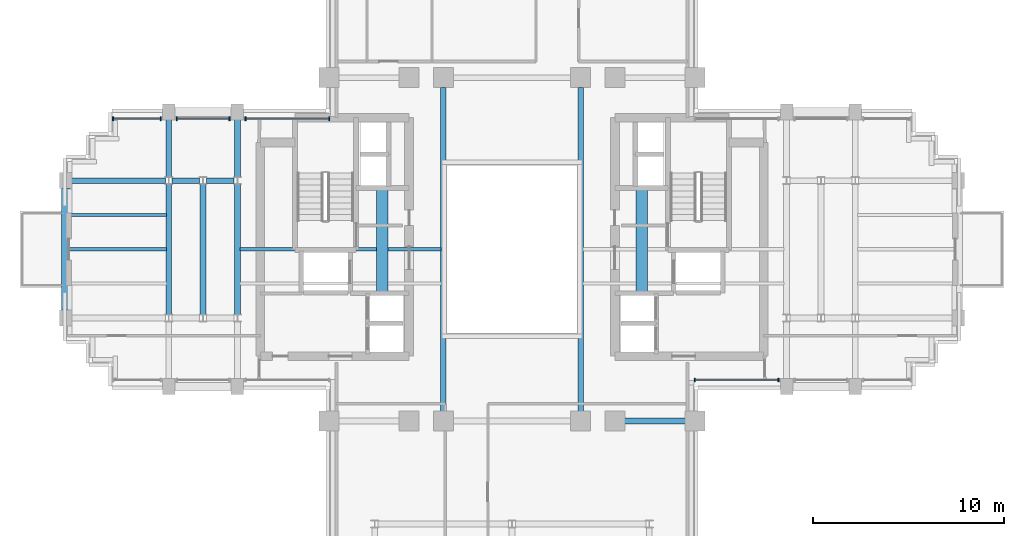
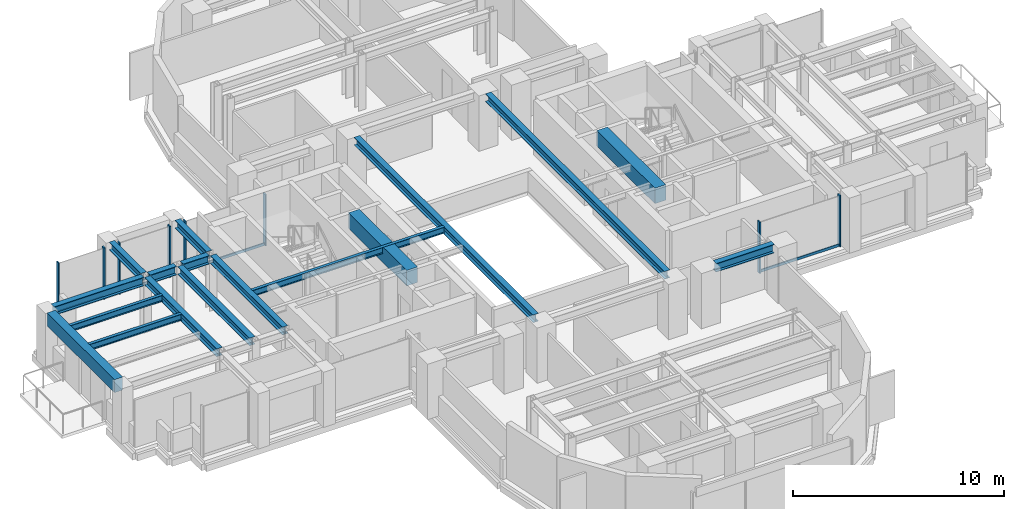
# One storey, part 4 of 13: 17 beams, 12 members, 4 elements without a shape of their own.
"""IFC4 building model written with IfcOpenShell, lengths in metres."""

from ifc_helpers import new_model, si_unit, direction, frame, origin, origin_2d, place, context, subcontext, project, spatial, rectangle, i_section, extrude, source, transform, mapped, material, material_profile, profile_set, type_object, element, aggregate, save


model = new_model("IFC4")

# Units and contexts
model_context = context("Model", 3, precision=1e-05, world=origin(), true_north=direction((0.0, 1.0)))
body_context = subcontext(model_context, "Body", "Model", "MODEL_VIEW")
ifc_project = project(units=[si_unit("LENGTHUNIT", "METRE"), si_unit("AREAUNIT", "SQUARE_METRE"), si_unit("VOLUMEUNIT", "CUBIC_METRE"), si_unit("PLANEANGLEUNIT", "RADIAN"), si_unit("MASSUNIT", "GRAM", prefix="KILO")], contexts=[model_context])

# Site, building, storey
site_placement = place(None, origin())
site = spatial("IfcSite", under=ifc_project, at=site_placement, CompositionType="ELEMENT")
building_placement = place(site_placement, origin())
building = spatial("IfcBuilding", under=site, at=building_placement, Name="Keilestroom Media Tower", CompositionType="ELEMENT")
storey_placement = place(building_placement, frame((0.0, 0.0, 100.60009765625)))
storey = spatial("IfcBuildingStorey", under=building, at=storey_placement, Name="L26", CompositionType="ELEMENT", Elevation=100.60009765625)

# Beams
ifc_material_1 = material(Name="Concrete C70/85", Category="concrete")
ifc_material_profile_1 = material_profile(ifc_material_1, rectangle(XDim=0.60009765625, YDim=0.89990234375, at=origin_2d()), Name="RC 600x900")
ifc_profile_set_1 = profile_set([ifc_material_profile_1], Name="Concrete C70/85")
beam_type_1 = type_object("IfcBeamType", Name="Core-Coupling-Lintel-Beam-RC-600x900", PredefinedType="LINTEL", material=ifc_profile_set_1)
shared_shape_1 = source(origin(), body_context, "Body", "SweptSolid", [
    extrude(rectangle(XDim=0.60009765625, YDim=0.89990234375, at=origin_2d()), origin(), (0.0, 0.0, 1.0), 5.52001953125),
])
for number, where, z_axis, x_axis, name in (
    (1, (-6.800048828125, -2.300048828125, 2.75), (0.0, 1.0, 0.0), (-1.0, 0.0, 0.0), "L26 Beam CLB-1 CLB-L26-W"),
    (2, (6.800048828125, -2.300048828125, 2.75), (0.0, 1.0, 0.0), (-1.0, 0.0, 0.0), "L26 Beam CLB-1 CLB-L26-E"),
):
    element("IfcBeam", number, at=place(storey_placement, frame(where, z_axis=z_axis, x_axis=x_axis)), inside=storey, type_object=beam_type_1, Name=name, PredefinedType="LINTEL", context=body_context, shape_type="MappedRepresentation", body=[
        mapped(shared_shape_1, transform((0.0, 0.0, 0.0), x_axis=(1.0, 0.0, 0.0), y_axis=(0.0, 1.0, 0.0), z_axis=(0.0, 0.0, 1.0), scale=1.0)),
    ])
ifc_material_2 = material(Name="Steel S355", Category="steel")
ifc_material_profile_2 = material_profile(ifc_material_2, i_section(OverallWidth=0.169921875, OverallDepth=0.360107421875, WebThickness=0.008056640625, FlangeThickness=0.0126953125, at=origin_2d()), Name="IPE 360")
ifc_profile_set_2 = profile_set([ifc_material_profile_2], Name="Steel S355")
beam_type_2 = type_object("IfcBeamType", Name="Secondary-Floor-Joist-IPE-360", PredefinedType="JOIST", material=ifc_profile_set_2)
shared_shape_2 = source(origin(), body_context, "Body", "SweptSolid", [
    extrude(i_section(OverallWidth=0.169921875, OverallDepth=0.360107421875, WebThickness=0.008056640625, FlangeThickness=0.0126953125, at=origin_2d()), origin(), (0.0, 0.0, 1.0), 10.5400390625),
])
beam_1_placement = place(storey_placement, frame((-14.27001953125, 0.0, 3.02001953125), z_axis=(1.0, 0.0, 0.0), x_axis=(0.0, 1.0, 0.0)))
element("IfcBeam", 3, at=beam_1_placement, inside=storey, type_object=beam_type_2, Name="L26 Beam BJ-5 JST-L26-077", PredefinedType="JOIST", context=body_context, shape_type="MappedRepresentation", body=[
    mapped(shared_shape_2, transform((0.0, 0.0, 0.0), x_axis=(1.0, 0.0, 0.0), y_axis=(0.0, 1.0, 0.0), z_axis=(0.0, 0.0, 1.0), scale=1.0)),
])
ifc_material_profile_3 = material_profile(ifc_material_2, i_section(OverallWidth=0.300048828125, OverallDepth=0.5, WebThickness=0.012451171875, FlangeThickness=0.028076171875, at=origin_2d()), Name="HEB 500")
ifc_profile_set_3 = profile_set([ifc_material_profile_3], Name="Steel S355")
beam_type_3 = type_object("IfcBeamType", Name="Primary-Structural-Girder-HEB-500", PredefinedType="BEAM", material=ifc_profile_set_3)
shared_shape_3 = source(origin(), body_context, "Body", "SweptSolid", [
    extrude(i_section(OverallWidth=0.300048828125, OverallDepth=0.5, WebThickness=0.012451171875, FlangeThickness=0.028076171875, at=origin_2d()), origin(), (0.0, 0.0, 1.0), 3.18994140625),
])
beam_2_placement = place(storey_placement, frame((5.905029296875, -9.0, 2.949951171875), z_axis=(1.0, 0.0, 0.0), x_axis=(0.0, 1.0, 0.0)))
element("IfcBeam", 4, at=beam_2_placement, inside=storey, type_object=beam_type_3, Name="L26 Beam BG-6 BM-L26-EW-011", PredefinedType="BEAM", context=body_context, shape_type="MappedRepresentation", body=[
    mapped(shared_shape_3, transform((0.0, 0.0, 0.0), x_axis=(1.0, 0.0, 0.0), y_axis=(0.0, 1.0, 0.0), z_axis=(0.0, 0.0, 1.0), scale=1.0)),
])
shared_shape_4 = source(origin(), body_context, "Body", "SweptSolid", [
    extrude(i_section(OverallWidth=0.300048828125, OverallDepth=0.5, WebThickness=0.012451171875, FlangeThickness=0.028076171875, at=origin_2d()), origin(), (0.0, 0.0, 1.0), 4.91455078125),
])
beam_3_placement = place(storey_placement, frame((-23.094970703125, 3.60009765625, 2.949951171875), z_axis=(1.0, 0.0, 0.0), x_axis=(0.0, 1.0, 0.0)))
element("IfcBeam", 5, at=beam_3_placement, inside=storey, type_object=beam_type_3, Name="L26 Beam BG-6 BM-L26-EW-020", PredefinedType="BEAM", context=body_context, shape_type="MappedRepresentation", body=[
    mapped(shared_shape_4, transform((0.0, 0.0, 0.0), x_axis=(1.0, 0.0, 0.0), y_axis=(0.0, 1.0, 0.0), z_axis=(0.0, 0.0, 1.0), scale=1.0)),
])
shared_shape_5 = source(origin(), body_context, "Body", "SweptSolid", [
    extrude(i_section(OverallWidth=0.300048828125, OverallDepth=0.5, WebThickness=0.012451171875, FlangeThickness=0.028076171875, at=origin_2d()), origin(), (0.0, 0.0, 1.0), 1.43896484375),
])
for number, where, z_axis, x_axis, name in (
    (6, (-17.819580078125, 3.60009765625, 2.949951171875), (1.0, 0.0, 0.0), (0.0, 1.0, 0.0), "L26 Beam BG-6 BM-L26-EW-021"),
    (7, (-16.01953125, 3.60009765625, 2.949951171875), (1.0, 0.0, 0.0), (0.0, 1.0, 0.0), "L26 Beam BG-6 BM-L26-EW-022"),
):
    element("IfcBeam", number, at=place(storey_placement, frame(where, z_axis=z_axis, x_axis=x_axis)), inside=storey, type_object=beam_type_3, Name=name, PredefinedType="BEAM", context=body_context, shape_type="MappedRepresentation", body=[
        mapped(shared_shape_5, transform((0.0, 0.0, 0.0), x_axis=(1.0, 0.0, 0.0), y_axis=(0.0, 1.0, 0.0), z_axis=(0.0, 0.0, 1.0), scale=1.0)),
    ])
ifc_material_3 = material(Name="Precast concrete C40/50", Category="concrete")
ifc_material_profile_4 = material_profile(ifc_material_3, rectangle(XDim=0.449951171875, YDim=0.75, at=origin_2d()), Name="PC 450x750")
ifc_profile_set_4 = profile_set([ifc_material_profile_4], Name="Precast concrete C40/50")
beam_type_4 = type_object("IfcBeamType", Name="Perimeter-Spandrel-Beam-PC-450x750", PredefinedType="SPANDREL", material=ifc_profile_set_4)
shared_shape_6 = source(origin(), body_context, "Body", "SweptSolid", [
    extrude(rectangle(XDim=0.449951171875, YDim=0.75, at=origin_2d()), origin(), (0.0, 0.0, 1.0), 6.39013671875),
])
beam_4_placement = place(storey_placement, frame((-23.39990234375, -3.195068359375, 2.824951171875), z_axis=(0.0, 1.0, 0.0), x_axis=(-1.0, 0.0, 0.0)))
element("IfcBeam", 8, at=beam_4_placement, inside=storey, type_object=beam_type_4, Name="L26 Beam SPB-1 BM-L26-NS-039", PredefinedType="SPANDREL", context=body_context, shape_type="MappedRepresentation", body=[
    mapped(shared_shape_6, transform((0.0, 0.0, 0.0), x_axis=(1.0, 0.0, 0.0), y_axis=(0.0, 1.0, 0.0), z_axis=(0.0, 0.0, 1.0), scale=1.0)),
])
ifc_material_profile_5 = material_profile(ifc_material_2, i_section(OverallWidth=0.300048828125, OverallDepth=0.449951171875, WebThickness=0.011962890625, FlangeThickness=0.02587890625, at=origin_2d()), Name="HEB 450")
ifc_profile_set_5 = profile_set([ifc_material_profile_5], Name="Steel S355")
beam_type_5 = type_object("IfcBeamType", Name="Primary-Structural-Girder-HEB-450", PredefinedType="BEAM", material=ifc_profile_set_5)
shared_shape_7 = source(origin(), body_context, "Body", "SweptSolid", [
    extrude(i_section(OverallWidth=0.300048828125, OverallDepth=0.449951171875, WebThickness=0.011962890625, FlangeThickness=0.02587890625, at=origin_2d()), origin(), (0.0, 0.0, 1.0), 3.015380859375),
])
for number, where, z_axis, x_axis, name in (
    (9, (-18.0, 3.779541015625, 2.974853515625), (0.0, 1.0, 0.0), (-1.0, 0.0, 0.0), "L26 Beam BG-7 BM-L26-NS-042"),
    (10, (-14.39990234375, 3.779541015625, 2.974853515625), (0.0, 1.0, 0.0), (-1.0, 0.0, 0.0), "L26 Beam BG-7 BM-L26-NS-046"),
):
    element("IfcBeam", number, at=place(storey_placement, frame(where, z_axis=z_axis, x_axis=x_axis)), inside=storey, type_object=beam_type_5, Name=name, PredefinedType="BEAM", context=body_context, shape_type="MappedRepresentation", body=[
        mapped(shared_shape_7, transform((0.0, 0.0, 0.0), x_axis=(1.0, 0.0, 0.0), y_axis=(0.0, 1.0, 0.0), z_axis=(0.0, 0.0, 1.0), scale=1.0)),
    ])
shared_shape_8 = source(origin(), body_context, "Body", "SweptSolid", [
    extrude(i_section(OverallWidth=0.300048828125, OverallDepth=0.449951171875, WebThickness=0.011962890625, FlangeThickness=0.02587890625, at=origin_2d()), origin(), (0.0, 0.0, 1.0), 6.8408203125),
])
for number, where, z_axis, x_axis, name in (
    (11, (-18.0, -3.42041015625, 2.974853515625), (0.0, 1.0, 0.0), (-1.0, 0.0, 0.0), "L26 Beam BG-7 BM-L26-NS-041"),
    (12, (-16.199951171875, -3.42041015625, 2.974853515625), (0.0, 1.0, 0.0), (-1.0, 0.0, 0.0), "L26 Beam BG-7 BM-L26-NS-043"),
    (13, (-14.39990234375, -3.42041015625, 2.974853515625), (0.0, 1.0, 0.0), (-1.0, 0.0, 0.0), "L26 Beam BG-7 BM-L26-NS-045"),
):
    element("IfcBeam", number, at=place(storey_placement, frame(where, z_axis=z_axis, x_axis=x_axis)), inside=storey, type_object=beam_type_5, Name=name, PredefinedType="BEAM", context=body_context, shape_type="MappedRepresentation", body=[
        mapped(shared_shape_8, transform((0.0, 0.0, 0.0), x_axis=(1.0, 0.0, 0.0), y_axis=(0.0, 1.0, 0.0), z_axis=(0.0, 0.0, 1.0), scale=1.0)),
    ])
shared_shape_9 = source(origin(), body_context, "Body", "SweptSolid", [
    extrude(i_section(OverallWidth=0.300048828125, OverallDepth=0.449951171875, WebThickness=0.011962890625, FlangeThickness=0.02587890625, at=origin_2d()), origin(), (0.0, 0.0, 1.0), 16.990234375),
])
for number, where, z_axis, x_axis, name in (
    (14, (-3.60009765625, -8.4951171875, 2.974853515625), (0.0, 1.0, 0.0), (-1.0, 0.0, 0.0), "L26 Beam BG-7 BM-L26-NS-051"),
    (15, (3.60009765625, -8.4951171875, 2.974853515625), (0.0, 1.0, 0.0), (-1.0, 0.0, 0.0), "L26 Beam BG-7 BM-L26-NS-056"),
):
    element("IfcBeam", number, at=place(storey_placement, frame(where, z_axis=z_axis, x_axis=x_axis)), inside=storey, type_object=beam_type_5, Name=name, PredefinedType="BEAM", context=body_context, shape_type="MappedRepresentation", body=[
        mapped(shared_shape_9, transform((0.0, 0.0, 0.0), x_axis=(1.0, 0.0, 0.0), y_axis=(0.0, 1.0, 0.0), z_axis=(0.0, 0.0, 1.0), scale=1.0)),
    ])
shared_shape_10 = source(origin(), body_context, "Body", "SweptSolid", [
    extrude(i_section(OverallWidth=0.169921875, OverallDepth=0.360107421875, WebThickness=0.008056640625, FlangeThickness=0.0126953125, at=origin_2d()), origin(), (0.0, 0.0, 1.0), 5.065185546875),
])
for number, where, z_axis, x_axis, name in (
    (16, (-23.195068359375, 0.0, 3.02001953125), (1.0, 0.0, 0.0), (0.0, 1.0, 0.0), "L26 Beam BJ-5 JST-L26-076"),
    (17, (-23.195068359375, 1.800048828125, 3.02001953125), (1.0, 0.0, 0.0), (0.0, 1.0, 0.0), "L26 Beam BJ-5 JST-L26-081"),
):
    element("IfcBeam", number, at=place(storey_placement, frame(where, z_axis=z_axis, x_axis=x_axis)), inside=storey, type_object=beam_type_2, Name=name, PredefinedType="JOIST", context=body_context, shape_type="MappedRepresentation", body=[
        mapped(shared_shape_10, transform((0.0, 0.0, 0.0), x_axis=(1.0, 0.0, 0.0), y_axis=(0.0, 1.0, 0.0), z_axis=(0.0, 0.0, 1.0), scale=1.0)),
    ])

# Curtain wall, members
ifc_material_4 = material(Name="Anodised Aluminium Alloy", Category="aluminium")
curtain_wall_type = type_object("IfcCurtainWallType", Name="Unitised-Curtain-Wall-CW-2", PredefinedType="NOTDEFINED", material=ifc_material_4)
curtain_wall_1_placement = place(storey_placement, origin())
curtain_wall_1 = element("IfcCurtainWall", 18, at=curtain_wall_1_placement, inside=storey, type_object=curtain_wall_type, Name="L26 Curtain Wall CW-2 CW-L26-NW-1", PredefinedType="NOTDEFINED")
ifc_material_profile_6 = material_profile(ifc_material_4, rectangle(XDim=0.070068359375, YDim=0.199951171875, at=origin_2d()), Name="ALU MULLION 70x200")
ifc_profile_set_6 = profile_set([ifc_material_profile_6], Name="Anodised Aluminium Alloy")
member_type_1 = type_object("IfcMemberType", Name="Curtain-Wall-Mullion-CW-2", PredefinedType="MULLION", material=ifc_profile_set_6)
shared_shape_11 = source(origin(), body_context, "Body", "SweptSolid", [
    extrude(rectangle(XDim=0.070068359375, YDim=0.199951171875, at=origin_2d()), origin(), (0.0, 0.0, 1.0), 2.97998046875),
])
member_1_placement = place(storey_placement, frame((-20.9150390625, 6.85009765625, 0.0), z_axis=(0.0, 0.0, 1.0), x_axis=(1.0, 0.0, 0.0)))
member_1 = element("IfcMember", 19, at=member_1_placement, type_object=member_type_1, Name="CW-2 Mullion 00", PredefinedType="MULLION", context=body_context, shape_type="MappedRepresentation", body=[
    mapped(shared_shape_11, transform((0.0, 0.0, 0.0), x_axis=(1.0, 0.0, 0.0), y_axis=(0.0, 1.0, 0.0), z_axis=(0.0, 0.0, 1.0), scale=1.0)),
])
member_2_placement = place(storey_placement, frame((-18.419921875, 6.85009765625, 0.0), z_axis=(0.0, 0.0, 1.0), x_axis=(1.0, 0.0, 0.0)))
member_2 = element("IfcMember", 20, at=member_2_placement, type_object=member_type_1, Name="CW-2 Mullion 01", PredefinedType="MULLION", context=body_context, shape_type="MappedRepresentation", body=[
    mapped(shared_shape_11, transform((0.0, 0.0, 0.0), x_axis=(1.0, 0.0, 0.0), y_axis=(0.0, 1.0, 0.0), z_axis=(0.0, 0.0, 1.0), scale=1.0)),
])

curtain_wall_2_placement = place(storey_placement, origin())
curtain_wall_2 = element("IfcCurtainWall", 21, at=curtain_wall_2_placement, inside=storey, type_object=curtain_wall_type, Name="L26 Curtain Wall CW-2 CW-L26-NW-2", PredefinedType="NOTDEFINED")
member_3_placement = place(storey_placement, frame((-17.580078125, 6.85009765625, 0.0), z_axis=(0.0, 0.0, 1.0), x_axis=(1.0, 0.0, 0.0)))
member_3 = element("IfcMember", 22, at=member_3_placement, type_object=member_type_1, Name="CW-2 Mullion 00", PredefinedType="MULLION", context=body_context, shape_type="MappedRepresentation", body=[
    mapped(shared_shape_11, transform((0.0, 0.0, 0.0), x_axis=(1.0, 0.0, 0.0), y_axis=(0.0, 1.0, 0.0), z_axis=(0.0, 0.0, 1.0), scale=1.0)),
])
member_4_placement = place(storey_placement, frame((-14.820068359375, 6.85009765625, 0.0), z_axis=(0.0, 0.0, 1.0), x_axis=(1.0, 0.0, 0.0)))
member_4 = element("IfcMember", 23, at=member_4_placement, type_object=member_type_1, Name="CW-2 Mullion 01", PredefinedType="MULLION", context=body_context, shape_type="MappedRepresentation", body=[
    mapped(shared_shape_11, transform((0.0, 0.0, 0.0), x_axis=(1.0, 0.0, 0.0), y_axis=(0.0, 1.0, 0.0), z_axis=(0.0, 0.0, 1.0), scale=1.0)),
])

curtain_wall_3_placement = place(storey_placement, origin())
curtain_wall_3 = element("IfcCurtainWall", 24, at=curtain_wall_3_placement, inside=storey, type_object=curtain_wall_type, Name="L26 Curtain Wall CW-2 CW-L26-NW-3", PredefinedType="NOTDEFINED")
member_5_placement = place(storey_placement, frame((-13.97998046875, 6.85009765625, 0.0), z_axis=(0.0, 0.0, 1.0), x_axis=(1.0, 0.0, 0.0)))
member_5 = element("IfcMember", 25, at=member_5_placement, type_object=member_type_1, Name="CW-2 Mullion 00", PredefinedType="MULLION", context=body_context, shape_type="MappedRepresentation", body=[
    mapped(shared_shape_11, transform((0.0, 0.0, 0.0), x_axis=(1.0, 0.0, 0.0), y_axis=(0.0, 1.0, 0.0), z_axis=(0.0, 0.0, 1.0), scale=1.0)),
])
member_6_placement = place(storey_placement, frame((-9.5849609375, 6.85009765625, 0.0), z_axis=(0.0, 0.0, 1.0), x_axis=(1.0, 0.0, 0.0)))
member_6 = element("IfcMember", 26, at=member_6_placement, type_object=member_type_1, Name="CW-2 Mullion 01", PredefinedType="MULLION", context=body_context, shape_type="MappedRepresentation", body=[
    mapped(shared_shape_11, transform((0.0, 0.0, 0.0), x_axis=(1.0, 0.0, 0.0), y_axis=(0.0, 1.0, 0.0), z_axis=(0.0, 0.0, 1.0), scale=1.0)),
])

curtain_wall_4_placement = place(storey_placement, origin())
curtain_wall_4 = element("IfcCurtainWall", 27, at=curtain_wall_4_placement, inside=storey, type_object=curtain_wall_type, Name="L26 Curtain Wall CW-2 CW-L26-SE-1", PredefinedType="NOTDEFINED")
member_7_placement = place(storey_placement, frame((9.5849609375, -6.85009765625, 0.0), z_axis=(0.0, 0.0, 1.0), x_axis=(1.0, 0.0, 0.0)))
member_7 = element("IfcMember", 28, at=member_7_placement, type_object=member_type_1, Name="CW-2 Mullion 00", PredefinedType="MULLION", context=body_context, shape_type="MappedRepresentation", body=[
    mapped(shared_shape_11, transform((0.0, 0.0, 0.0), x_axis=(1.0, 0.0, 0.0), y_axis=(0.0, 1.0, 0.0), z_axis=(0.0, 0.0, 1.0), scale=1.0)),
])
member_8_placement = place(storey_placement, frame((13.97998046875, -6.85009765625, 0.0), z_axis=(0.0, 0.0, 1.0), x_axis=(1.0, 0.0, 0.0)))
member_8 = element("IfcMember", 29, at=member_8_placement, type_object=member_type_1, Name="CW-2 Mullion 01", PredefinedType="MULLION", context=body_context, shape_type="MappedRepresentation", body=[
    mapped(shared_shape_11, transform((0.0, 0.0, 0.0), x_axis=(1.0, 0.0, 0.0), y_axis=(0.0, 1.0, 0.0), z_axis=(0.0, 0.0, 1.0), scale=1.0)),
])

# Member
ifc_material_profile_7 = material_profile(ifc_material_4, rectangle(XDim=0.06494140625, YDim=0.14990234375, at=origin_2d()), Name="ALU TRANSOM 65x150")
ifc_profile_set_7 = profile_set([ifc_material_profile_7], Name="Anodised Aluminium Alloy")
member_type_2 = type_object("IfcMemberType", Name="Curtain-Wall-Transom-CW-2", PredefinedType="USERDEFINED", material=ifc_profile_set_7)
shared_shape_12 = source(origin(), body_context, "Body", "SweptSolid", [
    extrude(rectangle(XDim=0.06494140625, YDim=0.14990234375, at=origin_2d()), origin(), (0.0, 0.0, 1.0), 2.42919921875),
])
member_9_placement = place(storey_placement, frame((-20.882080078125, 6.85009765625, 0.074951171875), z_axis=(1.0, 0.0, 0.0), x_axis=(0.0, 1.0, 0.0)))
member_9 = element("IfcMember", 30, at=member_9_placement, type_object=member_type_2, Name="CW-2 Transom 00.1", ObjectType="TRANSOM", PredefinedType="USERDEFINED", context=body_context, shape_type="MappedRepresentation", body=[
    mapped(shared_shape_12, transform((0.0, 0.0, 0.0), x_axis=(1.0, 0.0, 0.0), y_axis=(0.0, 1.0, 0.0), z_axis=(0.0, 0.0, 1.0), scale=1.0)),
])

aggregate(curtain_wall_1, [member_1, member_2, member_9])

shared_shape_13 = source(origin(), body_context, "Body", "SweptSolid", [
    extrude(rectangle(XDim=0.06494140625, YDim=0.14990234375, at=origin_2d()), origin(), (0.0, 0.0, 1.0), 2.694091796875),
])
member_10_placement = place(storey_placement, frame((-17.547119140625, 6.85009765625, 0.074951171875), z_axis=(1.0, 0.0, 0.0), x_axis=(0.0, 1.0, 0.0)))
member_10 = element("IfcMember", 31, at=member_10_placement, type_object=member_type_2, Name="CW-2 Transom 00.1", ObjectType="TRANSOM", PredefinedType="USERDEFINED", context=body_context, shape_type="MappedRepresentation", body=[
    mapped(shared_shape_13, transform((0.0, 0.0, 0.0), x_axis=(1.0, 0.0, 0.0), y_axis=(0.0, 1.0, 0.0), z_axis=(0.0, 0.0, 1.0), scale=1.0)),
])

aggregate(curtain_wall_2, [member_3, member_4, member_10])

shared_shape_14 = source(origin(), body_context, "Body", "SweptSolid", [
    extrude(rectangle(XDim=0.06494140625, YDim=0.14990234375, at=origin_2d()), origin(), (0.0, 0.0, 1.0), 4.3291015625),
])
member_11_placement = place(storey_placement, frame((-13.947021484375, 6.85009765625, 0.074951171875), z_axis=(1.0, 0.0, 0.0), x_axis=(0.0, 1.0, 0.0)))
member_11 = element("IfcMember", 32, at=member_11_placement, type_object=member_type_2, Name="CW-2 Transom 00.1", ObjectType="TRANSOM", PredefinedType="USERDEFINED", context=body_context, shape_type="MappedRepresentation", body=[
    mapped(shared_shape_14, transform((0.0, 0.0, 0.0), x_axis=(1.0, 0.0, 0.0), y_axis=(0.0, 1.0, 0.0), z_axis=(0.0, 0.0, 1.0), scale=1.0)),
])

aggregate(curtain_wall_3, [member_5, member_6, member_11])

member_12_placement = place(storey_placement, frame((9.617919921875, -6.85009765625, 0.074951171875), z_axis=(1.0, 0.0, 0.0), x_axis=(0.0, 1.0, 0.0)))
member_12 = element("IfcMember", 33, at=member_12_placement, type_object=member_type_2, Name="CW-2 Transom 00.1", ObjectType="TRANSOM", PredefinedType="USERDEFINED", context=body_context, shape_type="MappedRepresentation", body=[
    mapped(shared_shape_14, transform((0.0, 0.0, 0.0), x_axis=(1.0, 0.0, 0.0), y_axis=(0.0, 1.0, 0.0), z_axis=(0.0, 0.0, 1.0), scale=1.0)),
])

aggregate(curtain_wall_4, [member_7, member_8, member_12])

save(model, "model.ifc")
